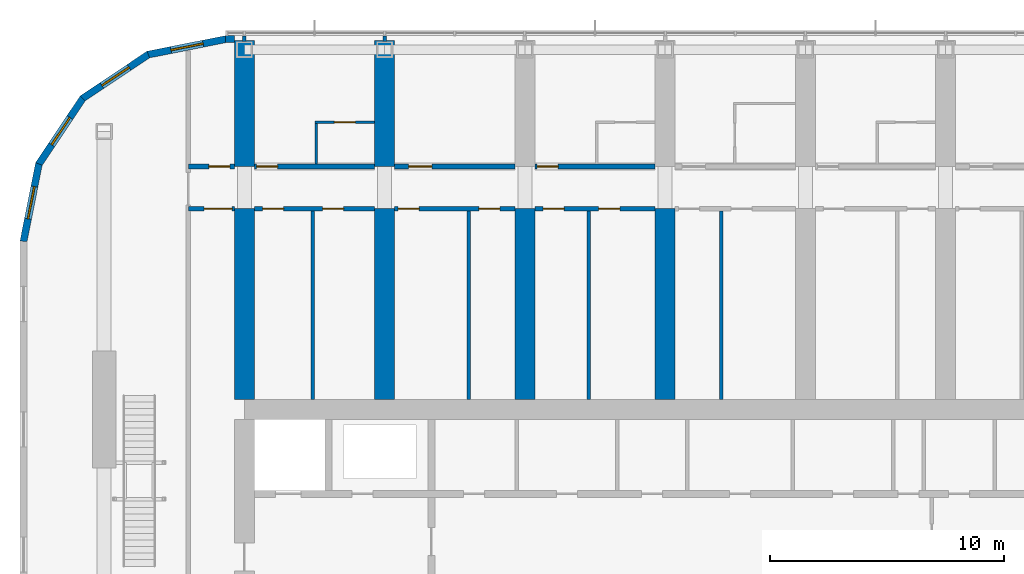
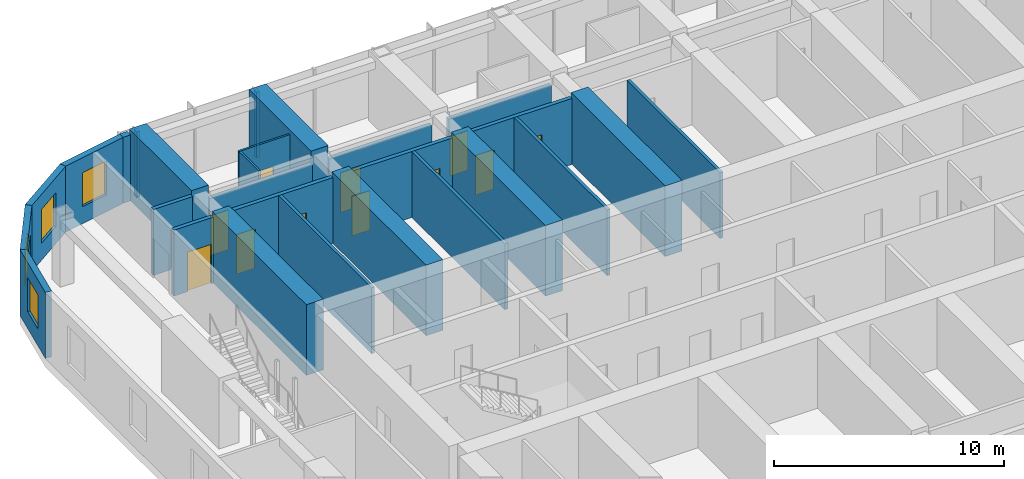
# One storey, part 18 of 28: 27 walls, 12 doors, 4 windows, 16 openings.
"""IFC4 building model written with IfcOpenShell, lengths in metres."""

from ifc_helpers import new_model, si_unit, direction, frame, frame_2d, origin, place, context, subcontext, project, spatial, polyline, rectangle, outline, extrude, material, layer, layer_set, type_object, element, fill, save


model = new_model("IFC4")

# Units and contexts
model_context = context("Model", 3, precision=1e-05, world=origin(), true_north=direction((0.0, 1.0)))
body_context = subcontext(model_context, "Body", "Model", "MODEL_VIEW")
ifc_project = project(units=[si_unit("LENGTHUNIT", "METRE"), si_unit("AREAUNIT", "SQUARE_METRE"), si_unit("VOLUMEUNIT", "CUBIC_METRE"), si_unit("PLANEANGLEUNIT", "RADIAN"), si_unit("MASSUNIT", "GRAM", prefix="KILO")], contexts=[model_context])

# Site, building, storey
site_placement = place(None, origin())
site = spatial("IfcSite", under=ifc_project, at=site_placement, CompositionType="ELEMENT")
building_placement = place(site_placement, origin())
building = spatial("IfcBuilding", under=site, at=building_placement, Name="Orbita Commons", CompositionType="ELEMENT")
storey_placement = place(building_placement, frame((0.0, 0.0, 193.60009765625)))
storey = spatial("IfcBuildingStorey", under=building, at=storey_placement, Name="L48", CompositionType="ELEMENT", Elevation=193.60009765625)

# Wall, opening, door
ifc_material_1 = material(Name="Concrete blockwork", Category="masonry")
ifc_layer_1 = layer(ifc_material_1, 0.199951171875)
ifc_layer_set_1 = layer_set([ifc_layer_1], Name="Concrete blockwork")
wall_type_1 = type_object("IfcWallType", Name="Corridor wall 200 blockwork", PredefinedType="SOLIDWALL", material=ifc_layer_set_1)
wall_1_placement = place(storey_placement, frame((15.60009765625, 48.60009765625, 0.0), z_axis=(0.0, 0.0, 1.0), x_axis=(1.0, 0.0, 0.0)))
wall_1 = element("IfcWall", 1, at=wall_1_placement, inside=storey, type_object=wall_type_1, Name="Corridor wall 200 blockwork L48", PredefinedType="SOLIDWALL", context=body_context, shape_type="SweptSolid", body=[
    extrude(rectangle(XDim=1.974853515625, YDim=0.199951171875, at=frame_2d((0.9873046875, 0.0))), origin(), (0.0, 0.0, 1.0), 3.5),
])
opening_1_placement = place(wall_1_placement, frame((0.875, 0.0, 0.0)))
opening_1 = element("IfcOpeningElement", 2, at=opening_1_placement, cuts=wall_1, Name="Opening D05", PredefinedType="OPENING", context=body_context, shape_type="SweptSolid", body=[
    extrude(rectangle(XDim=0.89990234375, YDim=2.10009765625, at=frame_2d((0.449951171875, 1.050048828125))), frame((0.0, 0.10986328125, 0.0), z_axis=(0.0, -1.0, 0.0), x_axis=(1.0, 0.0, 0.0)), (0.0, 0.0, 1.0), 0.219970703125),
])
ifc_material_2 = material(Name="Steel-faced fire door leaf", Category="steel")
door_type_1 = type_object("IfcDoorType", Name="Service door 20 min 900x2100", OperationType="SINGLE_SWING_LEFT", PredefinedType="DOOR", material=ifc_material_2)
door_1_placement = place(opening_1_placement, origin())
door_1 = element("IfcDoor", 3, at=door_1_placement, inside=storey, type_object=door_type_1, Name="Linen store L48-KWN door", OperationType="SINGLE_SWING_LEFT", OverallHeight=2.10009765625, OverallWidth=0.89990234375, PredefinedType="DOOR", context=body_context, shape_type="SweptSolid", body=[
    extrude(rectangle(XDim=0.89990234375, YDim=2.10009765625, at=frame_2d((0.449951171875, 1.050048828125))), frame((0.0, 0.02490234375, 0.0), z_axis=(0.0, -1.0, 0.0), x_axis=(1.0, 0.0, 0.0)), (0.0, 0.0, 1.0), 0.050048828125),
])
fill(opening_1, door_1)

wall_2_placement = place(storey_placement, frame((18.425048828125, 48.60009765625, 0.0), z_axis=(0.0, 0.0, 1.0), x_axis=(1.0, 0.0, 0.0)))
wall_2 = element("IfcWall", 4, at=wall_2_placement, inside=storey, type_object=wall_type_1, Name="Corridor wall 200 blockwork L48", PredefinedType="SOLIDWALL", context=body_context, shape_type="SweptSolid", body=[
    extrude(outline(polyline([(0.0, 0.0), (5.14990234375, 0.0), (5.14990234375, 3.099853515625), (0.0, 3.099853515625), (0.0, 0.0)])), frame((0.0, 0.10009765625, 0.0), z_axis=(0.0, -1.0, 0.0), x_axis=(1.0, 0.0, 0.0)), (0.0, 0.0, 1.0), 0.199951171875),
])
opening_2_placement = place(wall_2_placement, frame((0.10009765625, 0.0, 0.0)))
opening_2 = element("IfcOpeningElement", 5, at=opening_2_placement, cuts=wall_2, Name="Opening D11", PredefinedType="OPENING", context=body_context, shape_type="SweptSolid", body=[
    extrude(rectangle(XDim=0.89990234375, YDim=2.10009765625, at=frame_2d((0.449951171875, 1.050048828125))), frame((0.0, 0.10986328125, 0.0), z_axis=(0.0, -1.0, 0.0), x_axis=(1.0, 0.0, 0.0)), (0.0, 0.0, 1.0), 0.219970703125),
])
ifc_material_3 = material(Name="Steel-faced fire door leaf", Category="steel")
door_type_2 = type_object("IfcDoorType", Name="Corridor door 20 min 900x2100", OperationType="SINGLE_SWING_LEFT", PredefinedType="DOOR", material=ifc_material_3)
door_2_placement = place(opening_2_placement, origin())
door_2 = element("IfcDoor", 6, at=door_2_placement, inside=storey, type_object=door_type_2, Name="Twin room L48-N00 door", OperationType="SINGLE_SWING_LEFT", OverallHeight=2.10009765625, OverallWidth=0.89990234375, PredefinedType="DOOR", context=body_context, shape_type="SweptSolid", body=[
    extrude(rectangle(XDim=0.89990234375, YDim=2.10009765625, at=frame_2d((0.449951171875, 1.050048828125))), frame((0.0, 0.02490234375, 0.0), z_axis=(0.0, -1.0, 0.0), x_axis=(1.0, 0.0, 0.0)), (0.0, 0.0, 1.0), 0.050048828125),
])
fill(opening_2, door_2)

wall_3_placement = place(storey_placement, frame((24.425048828125, 48.60009765625, 0.0), z_axis=(0.0, 0.0, 1.0), x_axis=(1.0, 0.0, 0.0)))
wall_3 = element("IfcWall", 7, at=wall_3_placement, inside=storey, type_object=wall_type_1, Name="Corridor wall 200 blockwork L48", PredefinedType="SOLIDWALL", context=body_context, shape_type="SweptSolid", body=[
    extrude(outline(polyline([(0.0, 0.0), (5.14990234375, 0.0), (5.14990234375, 3.099853515625), (0.0, 3.099853515625), (0.0, 0.0)])), frame((0.0, 0.10009765625, 0.0), z_axis=(0.0, -1.0, 0.0), x_axis=(1.0, 0.0, 0.0)), (0.0, 0.0, 1.0), 0.199951171875),
])
opening_3_placement = place(wall_3_placement, frame((0.60009765625, 0.0, 0.0)))
opening_3 = element("IfcOpeningElement", 8, at=opening_3_placement, cuts=wall_3, Name="Opening D06", PredefinedType="OPENING", context=body_context, shape_type="SweptSolid", body=[
    extrude(rectangle(XDim=1.0, YDim=2.10009765625, at=frame_2d((0.5, 1.050048828125))), frame((0.0, 0.10986328125, 0.0), z_axis=(0.0, -1.0, 0.0), x_axis=(1.0, 0.0, 0.0)), (0.0, 0.0, 1.0), 0.219970703125),
])
ifc_material_4 = material(Name="Steel-faced fire door leaf", Category="steel")
door_type_3 = type_object("IfcDoorType", Name="Corridor door 20 min 1000x2100", OperationType="SINGLE_SWING_LEFT", PredefinedType="DOOR", material=ifc_material_4)
door_3_placement = place(opening_3_placement, origin())
door_3 = element("IfcDoor", 9, at=door_3_placement, inside=storey, type_object=door_type_3, Name="Sea-view lounge L48-N02 door", OperationType="SINGLE_SWING_LEFT", OverallHeight=2.10009765625, OverallWidth=1.0, PredefinedType="DOOR", context=body_context, shape_type="SweptSolid", body=[
    extrude(rectangle(XDim=1.0, YDim=2.10009765625, at=frame_2d((0.5, 1.050048828125))), frame((0.0, 0.02490234375, 0.0), z_axis=(0.0, -1.0, 0.0), x_axis=(1.0, 0.0, 0.0)), (0.0, 0.0, 1.0), 0.050048828125),
])
fill(opening_3, door_3)

wall_4_placement = place(storey_placement, frame((30.425048828125, 48.60009765625, 0.0), z_axis=(0.0, 0.0, 1.0), x_axis=(1.0, 0.0, 0.0)))
wall_4 = element("IfcWall", 10, at=wall_4_placement, inside=storey, type_object=wall_type_1, Name="Corridor wall 200 blockwork L48", PredefinedType="SOLIDWALL", context=body_context, shape_type="SweptSolid", body=[
    extrude(outline(polyline([(0.0, 0.0), (5.14990234375, 0.0), (5.14990234375, 3.099853515625), (0.0, 3.099853515625), (0.0, 0.0)])), frame((0.0, 0.10009765625, 0.0), z_axis=(0.0, -1.0, 0.0), x_axis=(1.0, 0.0, 0.0)), (0.0, 0.0, 1.0), 0.199951171875),
])
opening_4_placement = place(wall_4_placement, frame((0.10009765625, 0.0, 0.0)))
opening_4 = element("IfcOpeningElement", 11, at=opening_4_placement, cuts=wall_4, Name="Opening D11", PredefinedType="OPENING", context=body_context, shape_type="SweptSolid", body=[
    extrude(rectangle(XDim=0.89990234375, YDim=2.10009765625, at=frame_2d((0.449951171875, 1.050048828125))), frame((0.0, 0.10986328125, 0.0), z_axis=(0.0, -1.0, 0.0), x_axis=(1.0, 0.0, 0.0)), (0.0, 0.0, 1.0), 0.219970703125),
])
door_4_placement = place(opening_4_placement, origin())
door_4 = element("IfcDoor", 12, at=door_4_placement, inside=storey, type_object=door_type_2, Name="Twin room L48-N04 door", OperationType="SINGLE_SWING_LEFT", OverallHeight=2.10009765625, OverallWidth=0.89990234375, PredefinedType="DOOR", context=body_context, shape_type="SweptSolid", body=[
    extrude(rectangle(XDim=0.89990234375, YDim=2.10009765625, at=frame_2d((0.449951171875, 1.050048828125))), frame((0.0, 0.02490234375, 0.0), z_axis=(0.0, -1.0, 0.0), x_axis=(1.0, 0.0, 0.0)), (0.0, 0.0, 1.0), 0.050048828125),
])
fill(opening_4, door_4)

ifc_material_5 = material(Name="Hollow concrete block 200", Category="concrete")
ifc_layer_2 = layer(ifc_material_5, 0.199951171875)
ifc_layer_set_2 = layer_set([ifc_layer_2], Name="Hollow concrete block 200")
wall_type_2 = type_object("IfcWallType", Name="Corridor wall 200 hollow concrete block", PredefinedType="SOLIDWALL", material=ifc_layer_set_2)
wall_5_placement = place(storey_placement, frame((15.60009765625, 46.800048828125, 0.0), z_axis=(0.0, 0.0, 1.0), x_axis=(1.0, 0.0, 0.0)))
wall_5 = element("IfcWall", 13, at=wall_5_placement, inside=storey, type_object=wall_type_2, Name="Corridor wall 200 hollow concrete block L48", PredefinedType="SOLIDWALL", context=body_context, shape_type="SweptSolid", body=[
    extrude(rectangle(XDim=1.974853515625, YDim=0.199951171875, at=frame_2d((0.9873046875, 0.0))), origin(), (0.0, 0.0, 1.0), 3.5),
])
opening_5_placement = place(wall_5_placement, frame((0.675048828125, 0.0, 0.0)))
opening_5 = element("IfcOpeningElement", 14, at=opening_5_placement, cuts=wall_5, Name="Opening D12", PredefinedType="OPENING", context=body_context, shape_type="SweptSolid", body=[
    extrude(rectangle(XDim=1.199951171875, YDim=2.10009765625, at=frame_2d((0.60009765625, 1.050048828125))), frame((0.0, 0.10986328125, 0.0), z_axis=(0.0, -1.0, 0.0), x_axis=(1.0, 0.0, 0.0)), (0.0, 0.0, 1.0), 0.219970703125),
])
ifc_material_6 = material(Name="Steel-faced fire door leaf", Category="steel")
door_type_4 = type_object("IfcDoorType", Name="Double corridor door 20 min 1200x2100", OperationType="DOUBLE_DOOR_SINGLE_SWING", PredefinedType="DOOR", material=ifc_material_6)
door_5_placement = place(opening_5_placement, origin())
door_5 = element("IfcDoor", 15, at=door_5_placement, inside=storey, type_object=door_type_4, Name="Cross corridor doors", OperationType="DOUBLE_DOOR_SINGLE_SWING", OverallHeight=2.10009765625, OverallWidth=1.199951171875, PredefinedType="DOOR", context=body_context, shape_type="SweptSolid", body=[
    extrude(rectangle(XDim=1.199951171875, YDim=2.10009765625, at=frame_2d((0.60009765625, 1.050048828125))), frame((0.0, 0.02490234375, 0.0), z_axis=(0.0, -1.0, 0.0), x_axis=(1.0, 0.0, 0.0)), (0.0, 0.0, 1.0), 0.050048828125),
])
fill(opening_5, door_5)

# Wall, openings, doors
wall_6_placement = place(storey_placement, frame((18.425048828125, 46.800048828125, 0.0), z_axis=(0.0, 0.0, 1.0), x_axis=(1.0, 0.0, 0.0)))
wall_6 = element("IfcWall", 16, at=wall_6_placement, inside=storey, type_object=wall_type_2, Name="Corridor wall 200 hollow concrete block L48", PredefinedType="SOLIDWALL", context=body_context, shape_type="SweptSolid", body=[
    extrude(rectangle(XDim=5.14990234375, YDim=0.199951171875, at=frame_2d((2.574951171875, 0.0))), origin(), (0.0, 0.0, 1.0), 3.5),
])
opening_6_placement = place(wall_6_placement, frame((0.35009765625, 0.0, 0.0)))
opening_6 = element("IfcOpeningElement", 17, at=opening_6_placement, cuts=wall_6, Name="Opening D11", PredefinedType="OPENING", context=body_context, shape_type="SweptSolid", body=[
    extrude(rectangle(XDim=0.89990234375, YDim=2.10009765625, at=frame_2d((0.449951171875, 1.050048828125))), frame((0.0, 0.10986328125, 0.0), z_axis=(0.0, -1.0, 0.0), x_axis=(1.0, 0.0, 0.0)), (0.0, 0.0, 1.0), 0.219970703125),
])
opening_7_placement = place(wall_6_placement, frame((2.925048828125, 0.0, 0.0)))
opening_7 = element("IfcOpeningElement", 18, at=opening_7_placement, cuts=wall_6, Name="Opening D11", PredefinedType="OPENING", context=body_context, shape_type="SweptSolid", body=[
    extrude(rectangle(XDim=0.89990234375, YDim=2.10009765625, at=frame_2d((0.449951171875, 1.050048828125))), frame((0.0, 0.10986328125, 0.0), z_axis=(0.0, -1.0, 0.0), x_axis=(1.0, 0.0, 0.0)), (0.0, 0.0, 1.0), 0.219970703125),
])
door_6_placement = place(opening_6_placement, origin())
door_6 = element("IfcDoor", 19, at=door_6_placement, inside=storey, type_object=door_type_2, Name="Battery and UPS room L48-BDN18n door", OperationType="SINGLE_SWING_LEFT", OverallHeight=2.10009765625, OverallWidth=0.89990234375, PredefinedType="DOOR", context=body_context, shape_type="SweptSolid", body=[
    extrude(rectangle(XDim=0.89990234375, YDim=2.10009765625, at=frame_2d((0.449951171875, 1.050048828125))), frame((0.0, 0.02490234375, 0.0), z_axis=(0.0, -1.0, 0.0), x_axis=(1.0, 0.0, 0.0)), (0.0, 0.0, 1.0), 0.050048828125),
])
fill(opening_6, door_6)
door_7_placement = place(opening_7_placement, origin())
door_7 = element("IfcDoor", 20, at=door_7_placement, inside=storey, type_object=door_type_2, Name="Ventilation plant room north L48-BDN18 door", OperationType="SINGLE_SWING_LEFT", OverallHeight=2.10009765625, OverallWidth=0.89990234375, PredefinedType="DOOR", context=body_context, shape_type="SweptSolid", body=[
    extrude(rectangle(XDim=0.89990234375, YDim=2.10009765625, at=frame_2d((0.449951171875, 1.050048828125))), frame((0.0, 0.02490234375, 0.0), z_axis=(0.0, -1.0, 0.0), x_axis=(1.0, 0.0, 0.0)), (0.0, 0.0, 1.0), 0.050048828125),
])
fill(opening_7, door_7)

wall_7_placement = place(storey_placement, frame((24.425048828125, 46.800048828125, 0.0), z_axis=(0.0, 0.0, 1.0), x_axis=(1.0, 0.0, 0.0)))
wall_7 = element("IfcWall", 21, at=wall_7_placement, inside=storey, type_object=wall_type_2, Name="Corridor wall 200 hollow concrete block L48", PredefinedType="SOLIDWALL", context=body_context, shape_type="SweptSolid", body=[
    extrude(rectangle(XDim=5.14990234375, YDim=0.199951171875, at=frame_2d((2.574951171875, 0.0))), origin(), (0.0, 0.0, 1.0), 3.5),
])
opening_8_placement = place(wall_7_placement, frame((0.14990234375, 0.0, 0.0)))
opening_8 = element("IfcOpeningElement", 22, at=opening_8_placement, cuts=wall_7, Name="Opening D11", PredefinedType="OPENING", context=body_context, shape_type="SweptSolid", body=[
    extrude(rectangle(XDim=0.89990234375, YDim=2.10009765625, at=frame_2d((0.449951171875, 1.050048828125))), frame((0.0, 0.10986328125, 0.0), z_axis=(0.0, -1.0, 0.0), x_axis=(1.0, 0.0, 0.0)), (0.0, 0.0, 1.0), 0.219970703125),
])
opening_9_placement = place(wall_7_placement, frame((3.60498046875, 0.0, 0.0)))
opening_9 = element("IfcOpeningElement", 23, at=opening_9_placement, cuts=wall_7, Name="Opening D11", PredefinedType="OPENING", context=body_context, shape_type="SweptSolid", body=[
    extrude(rectangle(XDim=0.89990234375, YDim=2.10009765625, at=frame_2d((0.449951171875, 1.050048828125))), frame((0.0, 0.10986328125, 0.0), z_axis=(0.0, -1.0, 0.0), x_axis=(1.0, 0.0, 0.0)), (0.0, 0.0, 1.0), 0.219970703125),
])
door_8_placement = place(opening_8_placement, origin())
door_8 = element("IfcDoor", 24, at=door_8_placement, inside=storey, type_object=door_type_2, Name="Furniture store L48-BDN24 door", OperationType="SINGLE_SWING_LEFT", OverallHeight=2.10009765625, OverallWidth=0.89990234375, PredefinedType="DOOR", context=body_context, shape_type="SweptSolid", body=[
    extrude(rectangle(XDim=0.89990234375, YDim=2.10009765625, at=frame_2d((0.449951171875, 1.050048828125))), frame((0.0, 0.02490234375, 0.0), z_axis=(0.0, -1.0, 0.0), x_axis=(1.0, 0.0, 0.0)), (0.0, 0.0, 1.0), 0.050048828125),
])
fill(opening_8, door_8)
door_9_placement = place(opening_9_placement, origin())
door_9 = element("IfcDoor", 25, at=door_9_placement, inside=storey, type_object=door_type_2, Name="Sprinkler valve room L48-BDN24n door", OperationType="SINGLE_SWING_LEFT", OverallHeight=2.10009765625, OverallWidth=0.89990234375, PredefinedType="DOOR", context=body_context, shape_type="SweptSolid", body=[
    extrude(rectangle(XDim=0.89990234375, YDim=2.10009765625, at=frame_2d((0.449951171875, 1.050048828125))), frame((0.0, 0.02490234375, 0.0), z_axis=(0.0, -1.0, 0.0), x_axis=(1.0, 0.0, 0.0)), (0.0, 0.0, 1.0), 0.050048828125),
])
fill(opening_9, door_9)

wall_8_placement = place(storey_placement, frame((30.425048828125, 46.800048828125, 0.0), z_axis=(0.0, 0.0, 1.0), x_axis=(1.0, 0.0, 0.0)))
wall_8 = element("IfcWall", 26, at=wall_8_placement, inside=storey, type_object=wall_type_2, Name="Corridor wall 200 hollow concrete block L48", PredefinedType="SOLIDWALL", context=body_context, shape_type="SweptSolid", body=[
    extrude(rectangle(XDim=5.14990234375, YDim=0.199951171875, at=frame_2d((2.574951171875, 0.0))), origin(), (0.0, 0.0, 1.0), 3.5),
])
opening_10_placement = place(wall_8_placement, frame((0.35009765625, 0.0, 0.0)))
opening_10 = element("IfcOpeningElement", 27, at=opening_10_placement, cuts=wall_8, Name="Opening D11", PredefinedType="OPENING", context=body_context, shape_type="SweptSolid", body=[
    extrude(rectangle(XDim=0.89990234375, YDim=2.10009765625, at=frame_2d((0.449951171875, 1.050048828125))), frame((0.0, 0.10986328125, 0.0), z_axis=(0.0, -1.0, 0.0), x_axis=(1.0, 0.0, 0.0)), (0.0, 0.0, 1.0), 0.219970703125),
])
opening_11_placement = place(wall_8_placement, frame((2.735107421875, 0.0, 0.0)))
opening_11 = element("IfcOpeningElement", 28, at=opening_11_placement, cuts=wall_8, Name="Opening D11", PredefinedType="OPENING", context=body_context, shape_type="SweptSolid", body=[
    extrude(rectangle(XDim=0.89990234375, YDim=2.10009765625, at=frame_2d((0.449951171875, 1.050048828125))), frame((0.0, 0.10986328125, 0.0), z_axis=(0.0, -1.0, 0.0), x_axis=(1.0, 0.0, 0.0)), (0.0, 0.0, 1.0), 0.219970703125),
])
door_10_placement = place(opening_10_placement, origin())
door_10 = element("IfcDoor", 29, at=door_10_placement, inside=storey, type_object=door_type_2, Name="Sprinkler valve room L48-BDN30n door", OperationType="SINGLE_SWING_LEFT", OverallHeight=2.10009765625, OverallWidth=0.89990234375, PredefinedType="DOOR", context=body_context, shape_type="SweptSolid", body=[
    extrude(rectangle(XDim=0.89990234375, YDim=2.10009765625, at=frame_2d((0.449951171875, 1.050048828125))), frame((0.0, 0.02490234375, 0.0), z_axis=(0.0, -1.0, 0.0), x_axis=(1.0, 0.0, 0.0)), (0.0, 0.0, 1.0), 0.050048828125),
])
fill(opening_10, door_10)
door_11_placement = place(opening_11_placement, origin())
door_11 = element("IfcDoor", 30, at=door_11_placement, inside=storey, type_object=door_type_2, Name="Bulk and luggage store L48-BDN30 door", OperationType="SINGLE_SWING_LEFT", OverallHeight=2.10009765625, OverallWidth=0.89990234375, PredefinedType="DOOR", context=body_context, shape_type="SweptSolid", body=[
    extrude(rectangle(XDim=0.89990234375, YDim=2.10009765625, at=frame_2d((0.449951171875, 1.050048828125))), frame((0.0, 0.02490234375, 0.0), z_axis=(0.0, -1.0, 0.0), x_axis=(1.0, 0.0, 0.0)), (0.0, 0.0, 1.0), 0.050048828125),
])
fill(opening_11, door_11)

# Walls
ifc_material_7 = material(Name="Concrete C50/60", Category="concrete")
ifc_layer_3 = layer(ifc_material_7, 0.85009765625)
ifc_layer_set_3 = layer_set([ifc_layer_3], Name="Concrete C50/60")
wall_type_3 = type_object("IfcWallType", Name="Cross wall 850 C50/60", PredefinedType="SHEAR", material=ifc_layer_set_3)
wall_9_placement = place(storey_placement, frame((18.0, 48.60009765625, 0.0), z_axis=(0.0, 0.0, 1.0), x_axis=(0.0, 1.0, 0.0)))
element("IfcWall", 31, at=wall_9_placement, inside=storey, type_object=wall_type_3, Name="Cross wall 4 north outer L48", PredefinedType="SHEAR", context=body_context, shape_type="SweptSolid", body=[
    extrude(rectangle(XDim=5.39990234375, YDim=0.85009765625, at=frame_2d((2.699951171875, 0.0))), origin(), (0.0, 0.0, 1.0), 3.75),
])
wall_10_placement = place(storey_placement, frame((18.0, 38.625, 0.0), z_axis=(0.0, 0.0, 1.0), x_axis=(0.0, 1.0, 0.0)))
element("IfcWall", 32, at=wall_10_placement, inside=storey, type_object=wall_type_3, Name="Cross wall 4 north inner L48", PredefinedType="SHEAR", context=body_context, shape_type="SweptSolid", body=[
    extrude(rectangle(XDim=8.175048828125, YDim=0.85009765625, at=frame_2d((4.08740234375, 0.0))), origin(), (0.0, 0.0, 1.0), 3.75),
])
wall_11_placement = place(storey_placement, frame((24.0, 48.60009765625, 0.0), z_axis=(0.0, 0.0, 1.0), x_axis=(0.0, 1.0, 0.0)))
element("IfcWall", 33, at=wall_11_placement, inside=storey, type_object=wall_type_3, Name="Cross wall 5 north outer L48", PredefinedType="SHEAR", context=body_context, shape_type="SweptSolid", body=[
    extrude(rectangle(XDim=5.39990234375, YDim=0.85009765625, at=frame_2d((2.699951171875, 0.0))), origin(), (0.0, 0.0, 1.0), 3.75),
])
for number, where, z_axis, x_axis, name in (
    (34, (24.0, 38.625, 0.0), (0.0, 0.0, 1.0), (0.0, 1.0, 0.0), "Cross wall 5 north inner L48"),
    (35, (30.0, 38.625, 0.0), (0.0, 0.0, 1.0), (0.0, 1.0, 0.0), "Cross wall 6 north inner L48"),
    (36, (36.0, 38.625, 0.0), (0.0, 0.0, 1.0), (0.0, 1.0, 0.0), "Cross wall 7 north inner L48"),
):
    element("IfcWall", number, at=place(storey_placement, frame(where, z_axis=z_axis, x_axis=x_axis)), inside=storey, type_object=wall_type_3, Name=name, PredefinedType="SHEAR", context=body_context, shape_type="SweptSolid", body=[
        extrude(rectangle(XDim=8.175048828125, YDim=0.85009765625, at=frame_2d((4.08740234375, 0.0))), origin(), (0.0, 0.0, 1.0), 3.75),
    ])

# Wall, opening, door
ifc_material_8 = material(Name="Moisture-resistant plasterboard on steel studs", Category="steel")
ifc_layer_4 = layer(ifc_material_8, 0.10009765625)
ifc_layer_set_4 = layer_set([ifc_layer_4], Name="Moisture-resistant plasterboard on steel studs")
wall_type_4 = type_object("IfcWallType", Name="En-suite partition 100", PredefinedType="PARTITIONING", material=ifc_layer_set_4)
wall_12_placement = place(storey_placement, frame((21.02490234375, 50.5, 0.0), z_axis=(0.0, 0.0, 1.0), x_axis=(1.0, 0.0, 0.0)))
wall_12 = element("IfcWall", 37, at=wall_12_placement, inside=storey, type_object=wall_type_4, Name="En-suite partition 100 L48", PredefinedType="PARTITIONING", context=body_context, shape_type="SweptSolid", body=[
    extrude(rectangle(XDim=2.550048828125, YDim=0.10009765625, at=frame_2d((1.27490234375, 0.0))), origin(), (0.0, 0.0, 1.0), 3.5),
])
opening_12_placement = place(wall_12_placement, frame((0.824951171875, 0.0, 0.0)))
opening_12 = element("IfcOpeningElement", 38, at=opening_12_placement, cuts=wall_12, Name="Opening D09", PredefinedType="OPENING", context=body_context, shape_type="SweptSolid", body=[
    extrude(rectangle(XDim=0.89990234375, YDim=2.10009765625, at=frame_2d((0.449951171875, 1.050048828125))), frame((0.0, 0.06005859375, 0.0), z_axis=(0.0, -1.0, 0.0), x_axis=(1.0, 0.0, 0.0)), (0.0, 0.0, 1.0), 0.1201171875),
])
ifc_material_9 = material(Name="Laminated timber door leaf", Category="wood")
door_type_5 = type_object("IfcDoorType", Name="En-suite door 900x2100", OperationType="SINGLE_SWING_RIGHT", PredefinedType="DOOR", material=ifc_material_9)
door_12_placement = place(opening_12_placement, origin())
door_12 = element("IfcDoor", 39, at=door_12_placement, inside=storey, type_object=door_type_5, Name="En-suite L48-N00 door", OperationType="SINGLE_SWING_RIGHT", OverallHeight=2.10009765625, OverallWidth=0.89990234375, PredefinedType="DOOR", context=body_context, shape_type="SweptSolid", body=[
    extrude(rectangle(XDim=0.89990234375, YDim=2.10009765625, at=frame_2d((0.449951171875, 1.050048828125))), frame((0.0, 0.02490234375, 0.0), z_axis=(0.0, -1.0, 0.0), x_axis=(1.0, 0.0, 0.0)), (0.0, 0.0, 1.0), 0.050048828125),
])
fill(opening_12, door_12)

# Walls
wall_13_placement = place(storey_placement, frame((21.074951171875, 50.449951171875, 0.0), z_axis=(0.0, 0.0, 1.0), x_axis=(0.0, -1.0, 0.0)))
element("IfcWall", 40, at=wall_13_placement, inside=storey, type_object=wall_type_4, Name="En-suite partition 100 L48", PredefinedType="PARTITIONING", context=body_context, shape_type="SweptSolid", body=[
    extrude(outline(polyline([(0.0, 0.0), (1.75, 0.0), (1.75, 3.099853515625), (1.701904296875, 3.099853515625), (1.699951171875, 3.5), (0.0, 3.5), (0.0, 0.0)])), frame((0.0, 0.050048828125, 0.0), z_axis=(0.0, -1.0, 0.0), x_axis=(1.0, 0.0, 0.0)), (0.0, 0.0, 1.0), 0.10009765625),
])
ifc_material_10 = material(Name="Gypsum plasterboard on steel studs", Category="steel")
ifc_layer_5 = layer(ifc_material_10, 0.14990234375)
ifc_layer_set_5 = layer_set([ifc_layer_5], Name="Gypsum plasterboard on steel studs")
wall_type_5 = type_object("IfcWallType", Name="Partition 150 plasterboard", PredefinedType="PARTITIONING", material=ifc_layer_set_5)
for number, where, z_axis, x_axis, name in (
    (41, (20.925048828125, 38.625, 0.0), (0.0, 0.0, 1.0), (0.0, 1.0, 0.0), "Partition 150 plasterboard L48"),
    (42, (27.60498046875, 38.625, 0.0), (0.0, 0.0, 1.0), (0.0, 1.0, 0.0), "Partition 150 plasterboard L48"),
    (43, (32.735107421875, 38.625, 0.0), (0.0, 0.0, 1.0), (0.0, 1.0, 0.0), "Partition 150 plasterboard L48"),
    (44, (38.39501953125, 38.625, 0.0), (0.0, 0.0, 1.0), (0.0, 1.0, 0.0), "Partition 150 plasterboard L48"),
):
    element("IfcWall", number, at=place(storey_placement, frame(where, z_axis=z_axis, x_axis=x_axis)), inside=storey, type_object=wall_type_5, Name=name, PredefinedType="PARTITIONING", context=body_context, shape_type="SweptSolid", body=[
        extrude(rectangle(XDim=8.074951171875, YDim=0.14990234375, at=frame_2d((4.03759765625, 0.0))), origin(), (0.0, 0.0, 1.0), 3.5),
    ])
for number, where, z_axis, x_axis, name in (
    (45, (18.0, 53.949951171875, 0.0), (0.0, 0.0, 1.0), (0.0, 1.0, 0.0), "Partition 150 plasterboard L48"),
    (46, (24.0, 53.949951171875, 0.0), (0.0, 0.0, 1.0), (0.0, 1.0, 0.0), "Partition 150 plasterboard L48"),
):
    element("IfcWall", number, at=place(storey_placement, frame(where, z_axis=z_axis, x_axis=x_axis)), inside=storey, type_object=wall_type_5, Name=name, PredefinedType="PARTITIONING", context=body_context, shape_type="SweptSolid", body=[
        extrude(rectangle(XDim=0.239990234375, YDim=0.14990234375, at=frame_2d((0.1201171875, 0.0))), origin(), (0.0, 0.0, 1.0), 3.5),
    ])

# Wall, opening, window
ifc_material_11 = material(Name="Precast concrete C40/50, white board-marked finish", Category="concrete")
ifc_layer_6 = layer(ifc_material_11, 0.300048828125)
ifc_layer_set_6 = layer_set([ifc_layer_6], Name="Precast concrete C40/50, white board-marked finish")
wall_type_6 = type_object("IfcWallType", Name="Precast concrete end shield 300", PredefinedType="SOLIDWALL", material=ifc_layer_set_6)
wall_14_placement = place(storey_placement, frame((17.199951171875, 54.050048828125, 0.0), z_axis=(0.0, 0.0, 1.0), x_axis=(-0.98078325777, -0.195100490205, 0.0)))
wall_14 = element("IfcWall", 47, at=wall_14_placement, inside=storey, type_object=wall_type_6, Name="End shield NW chord 1 L48", PredefinedType="SOLIDWALL", context=body_context, shape_type="SweptSolid", body=[
    extrude(outline(polyline([(-0.02978515625, -0.14990234375), (3.40478515625, -0.14990234375), (3.34521484375, 0.14990234375), (0.02978515625, 0.14990234375), (-0.02978515625, -0.14990234375)])), origin(), (0.0, 0.0, 1.0), 3.5),
])
opening_13_placement = place(wall_14_placement, frame((0.987548828125, 0.0, 0.89990234375)))
opening_13 = element("IfcOpeningElement", 48, at=opening_13_placement, cuts=wall_14, Name="Opening W02", PredefinedType="OPENING", context=body_context, shape_type="SweptSolid", body=[
    extrude(rectangle(XDim=1.39990234375, YDim=1.800048828125, at=frame_2d((0.699951171875, 0.89990234375))), frame((0.0, 0.159912109375, 0.0), z_axis=(0.0, -1.0, 0.0), x_axis=(1.0, 0.0, 0.0)), (0.0, 0.0, 1.0), 0.320068359375),
])
ifc_material_12 = material(Name="Aluminium frame, clear double glazing", Category="aluminium")
window_type = type_object("IfcWindowType", Name="Deep-set window 1400x1800", PartitioningType="SINGLE_PANEL", PredefinedType="WINDOW", material=ifc_material_12)
window_1_placement = place(opening_13_placement, origin())
window_1 = element("IfcWindow", 49, at=window_1_placement, inside=storey, type_object=window_type, Name="Window L48-NW0", OverallHeight=1.800048828125, OverallWidth=1.39990234375, PartitioningType="SINGLE_PANEL", PredefinedType="WINDOW", context=body_context, shape_type="SweptSolid", body=[
    extrude(rectangle(XDim=1.39990234375, YDim=1.800048828125, at=frame_2d((0.699951171875, 0.89990234375))), frame((0.0, 0.030029296875, 0.0), z_axis=(0.0, -1.0, 0.0), x_axis=(1.0, 0.0, 0.0)), (0.0, 0.0, 1.0), 0.06005859375),
])
fill(opening_13, window_1)

wall_15_placement = place(storey_placement, frame((13.889892578125, 53.3916015625, 0.0), z_axis=(0.0, 0.0, 1.0), x_axis=(-0.831493450887, -0.555534554399, 0.0)))
wall_15 = element("IfcWall", 50, at=wall_15_placement, inside=storey, type_object=wall_type_6, Name="End shield NW chord 2 L48", PredefinedType="SOLIDWALL", context=body_context, shape_type="SweptSolid", body=[
    extrude(outline(polyline([(-0.02978515625, -0.14990234375), (3.405029296875, -0.14990234375), (3.345458984375, 0.14990234375), (0.02978515625, 0.14990234375), (-0.02978515625, -0.14990234375)])), origin(), (0.0, 0.0, 1.0), 3.5),
])
opening_14_placement = place(wall_15_placement, frame((0.987548828125, 0.0, 0.89990234375)))
opening_14 = element("IfcOpeningElement", 51, at=opening_14_placement, cuts=wall_15, Name="Opening W02", PredefinedType="OPENING", context=body_context, shape_type="SweptSolid", body=[
    extrude(rectangle(XDim=1.39990234375, YDim=1.800048828125, at=frame_2d((0.699951171875, 0.89990234375))), frame((0.0, 0.159912109375, 0.0), z_axis=(0.0, -1.0, 0.0), x_axis=(1.0, 0.0, 0.0)), (0.0, 0.0, 1.0), 0.320068359375),
])
window_2_placement = place(opening_14_placement, origin())
window_2 = element("IfcWindow", 52, at=window_2_placement, inside=storey, type_object=window_type, Name="Window L48-NW1", OverallHeight=1.800048828125, OverallWidth=1.39990234375, PartitioningType="SINGLE_PANEL", PredefinedType="WINDOW", context=body_context, shape_type="SweptSolid", body=[
    extrude(rectangle(XDim=1.39990234375, YDim=1.800048828125, at=frame_2d((0.699951171875, 0.89990234375))), frame((0.0, 0.030029296875, 0.0), z_axis=(0.0, -1.0, 0.0), x_axis=(1.0, 0.0, 0.0)), (0.0, 0.0, 1.0), 0.06005859375),
])
fill(opening_14, window_2)

wall_16_placement = place(storey_placement, frame((11.08349609375, 51.5166015625, 0.0), z_axis=(0.0, 0.0, 1.0), x_axis=(-0.555534554399, -0.831493450887, 0.0)))
wall_16 = element("IfcWall", 53, at=wall_16_placement, inside=storey, type_object=wall_type_6, Name="End shield NW chord 3 L48", PredefinedType="SOLIDWALL", context=body_context, shape_type="SweptSolid", body=[
    extrude(outline(polyline([(-0.02978515625, -0.14990234375), (3.405029296875, -0.14990234375), (3.345458984375, 0.14990234375), (0.02978515625, 0.14990234375), (-0.02978515625, -0.14990234375)])), origin(), (0.0, 0.0, 1.0), 3.5),
])
opening_15_placement = place(wall_16_placement, frame((0.987548828125, 0.0, 0.89990234375)))
opening_15 = element("IfcOpeningElement", 54, at=opening_15_placement, cuts=wall_16, Name="Opening W02", PredefinedType="OPENING", context=body_context, shape_type="SweptSolid", body=[
    extrude(rectangle(XDim=1.39990234375, YDim=1.800048828125, at=frame_2d((0.699951171875, 0.89990234375))), frame((0.0, 0.159912109375, 0.0), z_axis=(0.0, -1.0, 0.0), x_axis=(1.0, 0.0, 0.0)), (0.0, 0.0, 1.0), 0.320068359375),
])
window_3_placement = place(opening_15_placement, origin())
window_3 = element("IfcWindow", 55, at=window_3_placement, inside=storey, type_object=window_type, Name="Window L48-NW2", OverallHeight=1.800048828125, OverallWidth=1.39990234375, PartitioningType="SINGLE_PANEL", PredefinedType="WINDOW", context=body_context, shape_type="SweptSolid", body=[
    extrude(rectangle(XDim=1.39990234375, YDim=1.800048828125, at=frame_2d((0.699951171875, 0.89990234375))), frame((0.0, 0.030029296875, 0.0), z_axis=(0.0, -1.0, 0.0), x_axis=(1.0, 0.0, 0.0)), (0.0, 0.0, 1.0), 0.06005859375),
])
fill(opening_15, window_3)

wall_17_placement = place(storey_placement, frame((9.20849609375, 48.710205078125, 0.0), z_axis=(0.0, 0.0, 1.0), x_axis=(-0.19508664885, -0.980786011034, 0.0)))
wall_17 = element("IfcWall", 56, at=wall_17_placement, inside=storey, type_object=wall_type_6, Name="End shield NW chord 4 L48", PredefinedType="SOLIDWALL", context=body_context, shape_type="SweptSolid", body=[
    extrude(outline(polyline([(-0.02978515625, -0.14990234375), (3.39013671875, -0.14990234375), (3.3603515625, 0.14990234375), (0.02978515625, 0.14990234375), (-0.02978515625, -0.14990234375)])), origin(), (0.0, 0.0, 1.0), 3.5),
])
opening_16_placement = place(wall_17_placement, frame((0.987548828125, 0.0, 0.89990234375)))
opening_16 = element("IfcOpeningElement", 57, at=opening_16_placement, cuts=wall_17, Name="Opening W02", PredefinedType="OPENING", context=body_context, shape_type="SweptSolid", body=[
    extrude(rectangle(XDim=1.39990234375, YDim=1.800048828125, at=frame_2d((0.699951171875, 0.89990234375))), frame((0.0, 0.159912109375, 0.0), z_axis=(0.0, -1.0, 0.0), x_axis=(1.0, 0.0, 0.0)), (0.0, 0.0, 1.0), 0.320068359375),
])
window_4_placement = place(opening_16_placement, origin())
window_4 = element("IfcWindow", 58, at=window_4_placement, inside=storey, type_object=window_type, Name="Window L48-NW3", OverallHeight=1.800048828125, OverallWidth=1.39990234375, PartitioningType="SINGLE_PANEL", PredefinedType="WINDOW", context=body_context, shape_type="SweptSolid", body=[
    extrude(rectangle(XDim=1.39990234375, YDim=1.800048828125, at=frame_2d((0.699951171875, 0.89990234375))), frame((0.0, 0.030029296875, 0.0), z_axis=(0.0, -1.0, 0.0), x_axis=(1.0, 0.0, 0.0)), (0.0, 0.0, 1.0), 0.06005859375),
])
fill(opening_16, window_4)

# Wall
wall_18_placement = place(storey_placement, frame((17.199951171875, 54.050048828125, 0.0), z_axis=(0.0, 0.0, 1.0), x_axis=(1.0, 0.0, 0.0)))
element("IfcWall", 59, at=wall_18_placement, inside=storey, type_object=wall_type_6, Name="End shield NW closer L48", PredefinedType="SOLIDWALL", context=body_context, shape_type="SweptSolid", body=[
    extrude(rectangle(XDim=0.375, YDim=0.300048828125, at=frame_2d((0.1875, 0.0))), origin(), (0.0, 0.0, 1.0), 3.5),
])

save(model, "model.ifc")
